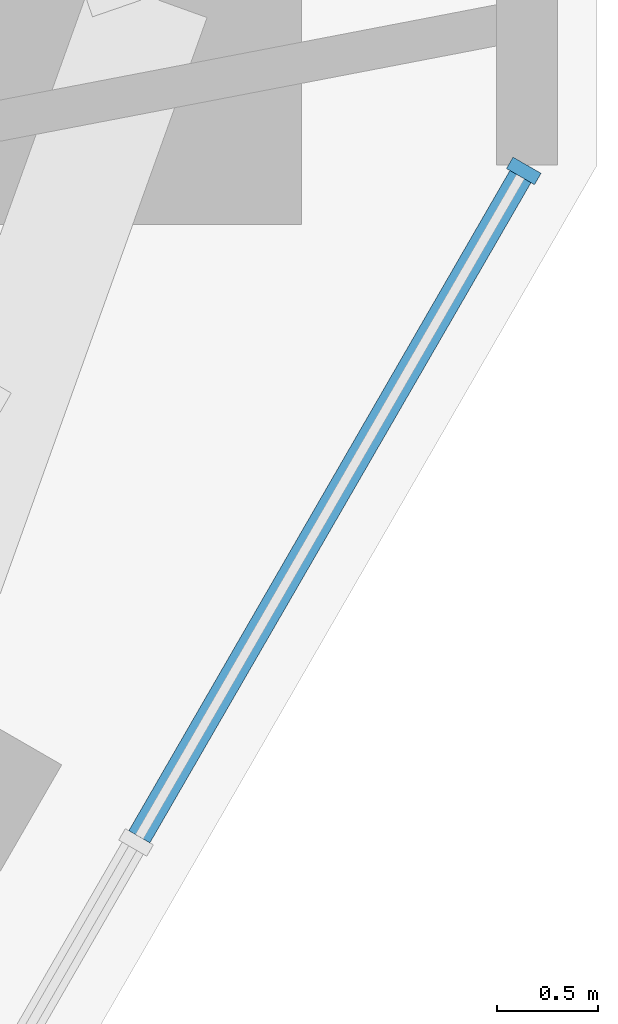
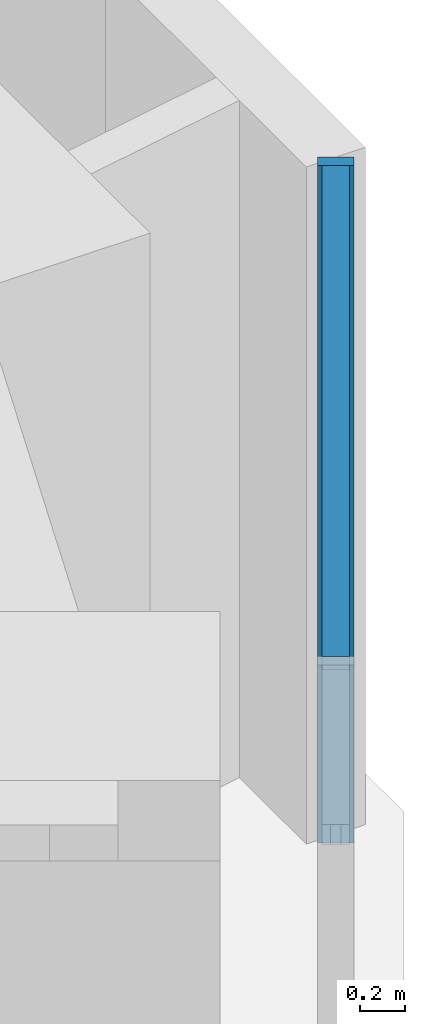
# One storey, part 6 of 16: 2 members, 1 element without a shape of its own.
"""IFC4 building model written with IfcOpenShell, lengths in metres."""

from ifc_helpers import new_model, si_unit, direction, frame, origin, origin_2d, place, context, subcontext, project, spatial, rectangle, extrude, material, material_profile, profile_set, type_object, element, aggregate, save


model = new_model("IFC4")

# Units and contexts
model_context = context("Model", 3, precision=1e-05, world=origin(), true_north=direction((0.0, 1.0)))
body_context = subcontext(model_context, "Body", "Model", "MODEL_VIEW")
ifc_project = project(units=[si_unit("LENGTHUNIT", "METRE"), si_unit("AREAUNIT", "SQUARE_METRE"), si_unit("VOLUMEUNIT", "CUBIC_METRE"), si_unit("PLANEANGLEUNIT", "RADIAN"), si_unit("MASSUNIT", "GRAM", prefix="KILO")], contexts=[model_context])

# Site, building, storey
site_placement = place(None, origin())
site = spatial("IfcSite", under=ifc_project, at=site_placement, CompositionType="ELEMENT")
building_placement = place(site_placement, origin())
building = spatial("IfcBuilding", under=site, at=building_placement, Name="Sandreach Pilgrim Tower", CompositionType="ELEMENT")
storey_placement = place(building_placement, frame((0.0, 0.0, 190.800048828125)))
storey = spatial("IfcBuildingStorey", under=building, at=storey_placement, Name="L47", CompositionType="ELEMENT", Elevation=190.800048828125)

# Curtain wall, members
ifc_material_1 = material(Name="Aluminium framed curtain wall", Category="aluminium")
curtain_wall_type = type_object("IfcCurtainWallType", Name="Upper hotel tower curtain wall", PredefinedType="NOTDEFINED", material=ifc_material_1)
curtain_wall_placement = place(storey_placement, origin())
curtain_wall = element("IfcCurtainWall", 1, at=curtain_wall_placement, inside=storey, type_object=curtain_wall_type, Name="CW-3 L47 SE", PredefinedType="NOTDEFINED")
ifc_material_2 = material(Name="Aluminium extrusion", Category="aluminium")
ifc_material_profile_1 = material_profile(ifc_material_2, rectangle(XDim=0.06494140625, YDim=0.159912109375, at=origin_2d()), Name="CW-3M 65X160")
ifc_profile_set_1 = profile_set([ifc_material_profile_1], Name="Aluminium extrusion")
member_type_1 = type_object("IfcMemberType", Name="CW-3 mullion", PredefinedType="MULLION", material=ifc_profile_set_1)
member_1_placement = place(storey_placement, frame((27.00390625, 4.451904296875, 0.0), z_axis=(0.0, 0.0, 1.0), x_axis=(-0.5, -0.866025403784, 0.0)))
member_1 = element("IfcMember", 2, at=member_1_placement, type_object=member_type_1, Name="CW-3 mullion 1", PredefinedType="MULLION", context=body_context, shape_type="SweptSolid", body=[
    extrude(rectangle(XDim=0.06494140625, YDim=0.159912109375, at=origin_2d()), origin(), (0.0, 0.0, 1.0), 3.639892578125),
])
ifc_material_3 = material(Name="Aluminium extrusion", Category="aluminium")
ifc_material_profile_2 = material_profile(ifc_material_3, rectangle(XDim=0.1201171875, YDim=0.070068359375, at=origin_2d()), Name="CW-3T 120X70")
ifc_profile_set_2 = profile_set([ifc_material_profile_2], Name="Aluminium extrusion")
member_type_2 = type_object("IfcMemberType", Name="CW-3 transom", PredefinedType="USERDEFINED", material=ifc_profile_set_2)
member_2_placement = place(storey_placement, frame((26.987548828125, 4.423828125, 3.60498046875), z_axis=(-0.499944992379, -0.86605716012, 0.0), x_axis=(0.86605716012, -0.499944992379, 0.0)))
member_2 = element("IfcMember", 3, at=member_2_placement, type_object=member_type_2, Name="CW-3 head transom 1", ObjectType="TRANSOM", PredefinedType="USERDEFINED", context=body_context, shape_type="SweptSolid", body=[
    extrude(rectangle(XDim=0.1201171875, YDim=0.070068359375, at=origin_2d()), origin(), (0.0, 0.0, 1.0), 3.76708984375),
])
aggregate(curtain_wall, [member_1, member_2])

save(model, "model.ifc")
